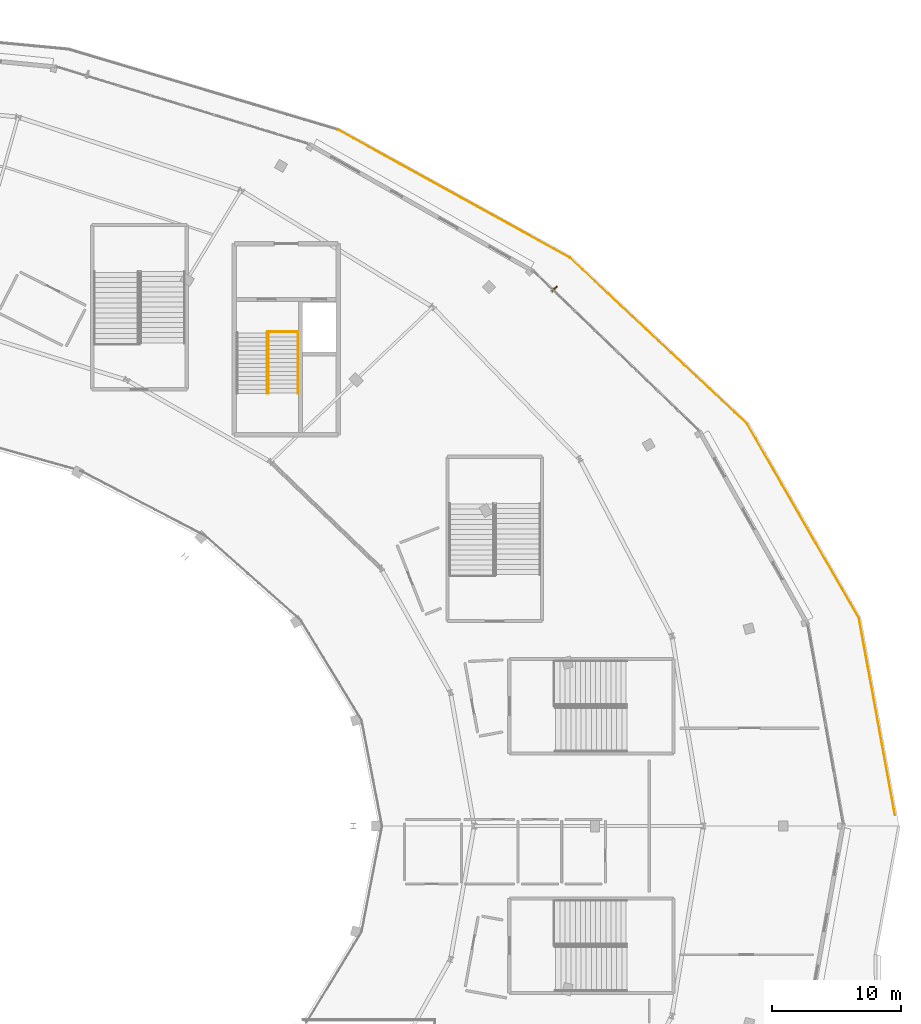
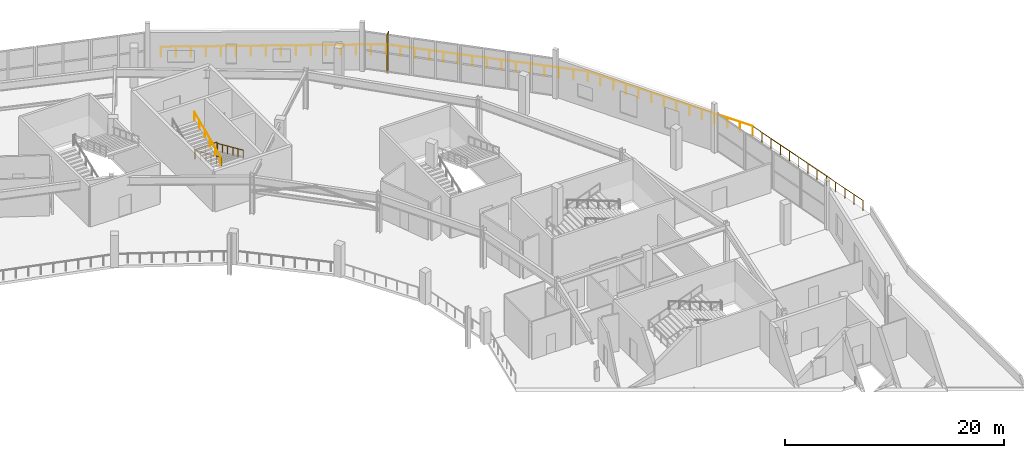
# One storey, part 123 of 123: 8 railings, 1 shading device.
"""IFC4 building model written with IfcOpenShell, lengths in metres."""

from ifc_helpers import new_model, si_unit, direction, frame, origin, origin_2d, place, context, subcontext, project, spatial, rectangle, circle, extrude, material, layer, layer_set, type_object, element, save


model = new_model("IFC4")

# Units and contexts
model_context = context("Model", 3, precision=1e-05, world=origin(), true_north=direction((0.0, 1.0)))
body_context = subcontext(model_context, "Body", "Model", "MODEL_VIEW")
ifc_project = project(units=[si_unit("LENGTHUNIT", "METRE"), si_unit("AREAUNIT", "SQUARE_METRE"), si_unit("VOLUMEUNIT", "CUBIC_METRE"), si_unit("PLANEANGLEUNIT", "RADIAN"), si_unit("MASSUNIT", "GRAM", prefix="KILO")], contexts=[model_context])

# Site, building, storey
site_placement = place(None, origin())
site = spatial("IfcSite", under=ifc_project, at=site_placement, CompositionType="ELEMENT")
building_placement = place(site_placement, origin())
building = spatial("IfcBuilding", under=site, at=building_placement, Name="Kalgoora Escarpment Arena", CompositionType="ELEMENT")
storey_placement = place(building_placement, frame((0.0, 0.0, 9.89990234375)))
storey = spatial("IfcBuildingStorey", under=building, at=storey_placement, Name="L02", CompositionType="ELEMENT", Elevation=9.89990234375)

# Railings
ifc_material_1 = material(Name="Galvanised & powdercoated tubular steel", Category="steel")
railing_type_1 = type_object("IfcRailingType", Name="RAL-GUARD-1120", PredefinedType="GUARDRAIL", material=ifc_material_1)
railing_1_placement = place(storey_placement, frame((132.68994140625, 102.389892578125, 0.0)))
element("IfcRailing", 1, at=railing_1_placement, inside=storey, type_object=railing_type_1, Name="ST04 L02 floor landing well guard", PredefinedType="GUARDRAIL", context=body_context, shape_type="SweptSolid", body=[
    extrude(circle(Radius=0.02392578125, at=origin_2d()), frame((0.0, 0.0, 1.09619140625), z_axis=(-1.0, 0.0, 0.0), x_axis=(0.0, -1.0, 0.0)), (0.0, 0.0, 1.0), 2.33984375),
    extrude(circle(Radius=0.02099609375, at=origin_2d()), origin(), (0.0, 0.0, 1.0), 1.072021484375),
    extrude(circle(Radius=0.02099609375, at=origin_2d()), frame((-1.169921875, 0.0, 0.0)), (0.0, 0.0, 1.0), 1.072021484375),
    extrude(circle(Radius=0.02099609375, at=origin_2d()), frame((-2.33984375, 0.0, 0.0)), (0.0, 0.0, 1.0), 1.072021484375),
])
ifc_material_2 = material(Name="Brushed stainless steel 316 handrail", Category="steel")
railing_type_2 = type_object("IfcRailingType", Name="RAL-HAND-920", PredefinedType="HANDRAIL", material=ifc_material_2)
for number, where, name in (
    (2, (132.699951171875, 102.31005859375, 0.110107421875), "ST04 L02 pitched stair handrail F1L"),
    (3, (130.405029296875, 102.31005859375, 0.110107421875), "ST04 L02 pitched stair handrail F1R"),
):
    element("IfcRailing", number, at=place(storey_placement, frame(where)), inside=storey, type_object=railing_type_2, Name=name, PredefinedType="HANDRAIL", context=body_context, shape_type="SweptSolid", body=[
        extrude(circle(Radius=0.02392578125, at=origin_2d()), frame((0.0, 0.0, 0.89599609375), z_axis=(0.0, -0.913643874524, 0.406515523129), x_axis=(1.0, 0.0, 0.0)), (0.0, 0.0, 1.0), 5.166015625),
        extrude(circle(Radius=0.02099609375, at=origin_2d()), origin(), (0.0, 0.0, 1.0), 0.871826171875),
        extrude(circle(Radius=0.02099609375, at=origin_2d()), frame((0.0, -0.944091796875, 0.419921875)), (0.0, 0.0, 1.0), 0.871826171875),
        extrude(circle(Radius=0.02099609375, at=origin_2d()), frame((0.0, -1.887939453125, 0.840087890625)), (0.0, 0.0, 1.0), 0.871826171875),
        extrude(circle(Radius=0.02099609375, at=origin_2d()), frame((0.0, -2.83203125, 1.260009765625)), (0.0, 0.0, 1.0), 0.871826171875),
        extrude(circle(Radius=0.02099609375, at=origin_2d()), frame((0.0, -3.77587890625, 1.68017578125)), (0.0, 0.0, 1.0), 0.871826171875),
        extrude(circle(Radius=0.02099609375, at=origin_2d()), frame((0.0, -4.719970703125, 2.10009765625)), (0.0, 0.0, 1.0), 0.871826171875),
    ])
railing_2_placement = place(storey_placement, frame((130.294921875, 97.590087890625, 2.360107421875)))
element("IfcRailing", 4, at=railing_2_placement, inside=storey, type_object=railing_type_2, Name="ST04 L02 pitched stair handrail F2L", PredefinedType="HANDRAIL", context=body_context, shape_type="SweptSolid", body=[
    extrude(circle(Radius=0.02392578125, at=origin_2d()), frame((0.0, 0.0, 0.89599609375), z_axis=(0.0, 0.913643874524, 0.406515523129), x_axis=(-1.0, 0.0, 0.0)), (0.0, 0.0, 1.0), 5.166015625),
    extrude(circle(Radius=0.02099609375, at=origin_2d()), origin(), (0.0, 0.0, 1.0), 0.871826171875),
    extrude(circle(Radius=0.02099609375, at=origin_2d()), frame((0.0, 0.944091796875, 0.419921875)), (0.0, 0.0, 1.0), 0.871826171875),
    extrude(circle(Radius=0.02099609375, at=origin_2d()), frame((0.0, 1.887939453125, 0.840087890625)), (0.0, 0.0, 1.0), 0.871826171875),
    extrude(circle(Radius=0.02099609375, at=origin_2d()), frame((0.0, 2.83203125, 1.260009765625)), (0.0, 0.0, 1.0), 0.871826171875),
    extrude(circle(Radius=0.02099609375, at=origin_2d()), frame((0.0, 3.77587890625, 1.68017578125)), (0.0, 0.0, 1.0), 0.871826171875),
    extrude(circle(Radius=0.02099609375, at=origin_2d()), frame((0.0, 4.719970703125, 2.10009765625)), (0.0, 0.0, 1.0), 0.871826171875),
])
ifc_material_3 = material(Name="Champagne anodised aluminium & laminated glass", Category="aluminium")
railing_type_3 = type_object("IfcRailingType", Name="RAL-TERR-1100", PredefinedType="GUARDRAIL", material=ifc_material_3)
railing_3_placement = place(storey_placement, frame((135.837890625, 118.064697265625, 0.0)))
element("IfcRailing", 5, at=railing_3_placement, inside=storey, type_object=railing_type_3, Name="Middle Planted Elliptical Garden Promenade perimeter guardrail 016", PredefinedType="GUARDRAIL", context=body_context, shape_type="SweptSolid", body=[
    extrude(circle(Radius=0.02392578125, at=origin_2d()), frame((0.0, 0.0, 1.09619140625), z_axis=(0.875431707903, -0.483341830176, 0.0), x_axis=(0.483341830176, 0.875431707903, 0.0)), (0.0, 0.0, 1.0), 20.544921875),
    extrude(circle(Radius=0.02099609375, at=origin_2d()), origin(), (0.0, 0.0, 1.0), 1.072021484375),
    extrude(circle(Radius=0.02099609375, at=origin_2d()), frame((1.198974609375, -0.662109375, 0.0)), (0.0, 0.0, 1.0), 1.072021484375),
    extrude(circle(Radius=0.02099609375, at=origin_2d()), frame((2.398193359375, -1.323974609375, 0.0)), (0.0, 0.0, 1.0), 1.072021484375),
    extrude(circle(Radius=0.02099609375, at=origin_2d()), frame((3.59716796875, -1.986083984375, 0.0)), (0.0, 0.0, 1.0), 1.072021484375),
    extrude(circle(Radius=0.02099609375, at=origin_2d()), frame((4.796142578125, -2.64794921875, 0.0)), (0.0, 0.0, 1.0), 1.072021484375),
    extrude(circle(Radius=0.02099609375, at=origin_2d()), frame((5.9951171875, -3.31005859375, 0.0)), (0.0, 0.0, 1.0), 1.072021484375),
    extrude(circle(Radius=0.02099609375, at=origin_2d()), frame((7.1943359375, -3.97216796875, 0.0)), (0.0, 0.0, 1.0), 1.072021484375),
    extrude(circle(Radius=0.02099609375, at=origin_2d()), frame((8.393310546875, -4.634033203125, 0.0)), (0.0, 0.0, 1.0), 1.072021484375),
    extrude(circle(Radius=0.02099609375, at=origin_2d()), frame((9.59228515625, -5.296142578125, 0.0)), (0.0, 0.0, 1.0), 1.072021484375),
    extrude(circle(Radius=0.02099609375, at=origin_2d()), frame((10.791259765625, -5.9580078125, 0.0)), (0.0, 0.0, 1.0), 1.072021484375),
    extrude(circle(Radius=0.02099609375, at=origin_2d()), frame((11.990478515625, -6.6201171875, 0.0)), (0.0, 0.0, 1.0), 1.072021484375),
    extrude(circle(Radius=0.02099609375, at=origin_2d()), frame((13.189453125, -7.2822265625, 0.0)), (0.0, 0.0, 1.0), 1.072021484375),
    extrude(circle(Radius=0.02099609375, at=origin_2d()), frame((14.388427734375, -7.944091796875, 0.0)), (0.0, 0.0, 1.0), 1.072021484375),
    extrude(circle(Radius=0.02099609375, at=origin_2d()), frame((15.58740234375, -8.606201171875, 0.0)), (0.0, 0.0, 1.0), 1.072021484375),
    extrude(circle(Radius=0.02099609375, at=origin_2d()), frame((16.78662109375, -9.26806640625, 0.0)), (0.0, 0.0, 1.0), 1.072021484375),
    extrude(circle(Radius=0.02099609375, at=origin_2d()), frame((17.985595703125, -9.93017578125, 0.0)), (0.0, 0.0, 1.0), 1.072021484375),
])
railing_4_placement = place(storey_placement, frame((153.823486328125, 108.134521484375, 0.0)))
element("IfcRailing", 6, at=railing_4_placement, inside=storey, type_object=railing_type_3, Name="Middle Planted Elliptical Garden Promenade perimeter guardrail 017", PredefinedType="GUARDRAIL", context=body_context, shape_type="SweptSolid", body=[
    extrude(circle(Radius=0.02392578125, at=origin_2d()), frame((0.0, 0.0, 1.09619140625), z_axis=(0.729458285246, -0.684025299303, 0.0), x_axis=(0.684025299303, 0.729458285246, 0.0)), (0.0, 0.0, 1.0), 18.909912109375),
    extrude(circle(Radius=0.02099609375, at=origin_2d()), origin(), (0.0, 0.0, 1.0), 1.072021484375),
    extrude(circle(Radius=0.02099609375, at=origin_2d()), frame((0.9853515625, -0.923828125, 0.0)), (0.0, 0.0, 1.0), 1.072021484375),
    extrude(circle(Radius=0.02099609375, at=origin_2d()), frame((1.970458984375, -1.847900390625, 0.0)), (0.0, 0.0, 1.0), 1.072021484375),
    extrude(circle(Radius=0.02099609375, at=origin_2d()), frame((2.955810546875, -2.771728515625, 0.0)), (0.0, 0.0, 1.0), 1.072021484375),
    extrude(circle(Radius=0.02099609375, at=origin_2d()), frame((3.941162109375, -3.695556640625, 0.0)), (0.0, 0.0, 1.0), 1.072021484375),
    extrude(circle(Radius=0.02099609375, at=origin_2d()), frame((4.926513671875, -4.61962890625, 0.0)), (0.0, 0.0, 1.0), 1.072021484375),
    extrude(circle(Radius=0.02099609375, at=origin_2d()), frame((5.91162109375, -5.54345703125, 0.0)), (0.0, 0.0, 1.0), 1.072021484375),
    extrude(circle(Radius=0.02099609375, at=origin_2d()), frame((6.89697265625, -6.46728515625, 0.0)), (0.0, 0.0, 1.0), 1.072021484375),
    extrude(circle(Radius=0.02099609375, at=origin_2d()), frame((7.88232421875, -7.391357421875, 0.0)), (0.0, 0.0, 1.0), 1.072021484375),
    extrude(circle(Radius=0.02099609375, at=origin_2d()), frame((8.867431640625, -8.315185546875, 0.0)), (0.0, 0.0, 1.0), 1.072021484375),
    extrude(circle(Radius=0.02099609375, at=origin_2d()), frame((9.852783203125, -9.2392578125, 0.0)), (0.0, 0.0, 1.0), 1.072021484375),
    extrude(circle(Radius=0.02099609375, at=origin_2d()), frame((10.838134765625, -10.1630859375, 0.0)), (0.0, 0.0, 1.0), 1.072021484375),
    extrude(circle(Radius=0.02099609375, at=origin_2d()), frame((11.823486328125, -11.0869140625, 0.0)), (0.0, 0.0, 1.0), 1.072021484375),
    extrude(circle(Radius=0.02099609375, at=origin_2d()), frame((12.80859375, -12.010986328125, 0.0)), (0.0, 0.0, 1.0), 1.072021484375),
    extrude(circle(Radius=0.02099609375, at=origin_2d()), frame((13.7939453125, -12.934814453125, 0.0)), (0.0, 0.0, 1.0), 1.072021484375),
])
railing_5_placement = place(storey_placement, frame((167.617431640625, 95.19970703125, 0.0)))
element("IfcRailing", 7, at=railing_5_placement, inside=storey, type_object=railing_type_3, Name="Middle Planted Elliptical Garden Promenade perimeter guardrail 018", PredefinedType="GUARDRAIL", context=body_context, shape_type="SweptSolid", body=[
    extrude(circle(Radius=0.02392578125, at=origin_2d()), frame((0.0, 0.0, 1.09619140625), z_axis=(0.498904944712, -0.866656711819, 0.0), x_axis=(0.866656711819, 0.498904944712, 0.0)), (0.0, 0.0, 1.0), 17.36962890625),
    extrude(circle(Radius=0.02099609375, at=origin_2d()), origin(), (0.0, 0.0, 1.0), 1.072021484375),
    extrude(circle(Radius=0.02099609375, at=origin_2d()), frame((0.66650390625, -1.157958984375, 0.0)), (0.0, 0.0, 1.0), 1.072021484375),
    extrude(circle(Radius=0.02099609375, at=origin_2d()), frame((1.333251953125, -2.31591796875, 0.0)), (0.0, 0.0, 1.0), 1.072021484375),
    extrude(circle(Radius=0.02099609375, at=origin_2d()), frame((1.999755859375, -3.473876953125, 0.0)), (0.0, 0.0, 1.0), 1.072021484375),
    extrude(circle(Radius=0.02099609375, at=origin_2d()), frame((2.66650390625, -4.6318359375, 0.0)), (0.0, 0.0, 1.0), 1.072021484375),
    extrude(circle(Radius=0.02099609375, at=origin_2d()), frame((3.3330078125, -5.789794921875, 0.0)), (0.0, 0.0, 1.0), 1.072021484375),
    extrude(circle(Radius=0.02099609375, at=origin_2d()), frame((3.99951171875, -6.94775390625, 0.0)), (0.0, 0.0, 1.0), 1.072021484375),
    extrude(circle(Radius=0.02099609375, at=origin_2d()), frame((4.666259765625, -8.105712890625, 0.0)), (0.0, 0.0, 1.0), 1.072021484375),
    extrude(circle(Radius=0.02099609375, at=origin_2d()), frame((5.332763671875, -9.263671875, 0.0)), (0.0, 0.0, 1.0), 1.072021484375),
    extrude(circle(Radius=0.02099609375, at=origin_2d()), frame((5.999267578125, -10.421630859375, 0.0)), (0.0, 0.0, 1.0), 1.072021484375),
    extrude(circle(Radius=0.02099609375, at=origin_2d()), frame((6.666015625, -11.57958984375, 0.0)), (0.0, 0.0, 1.0), 1.072021484375),
    extrude(circle(Radius=0.02099609375, at=origin_2d()), frame((7.33251953125, -12.737548828125, 0.0)), (0.0, 0.0, 1.0), 1.072021484375),
    extrude(circle(Radius=0.02099609375, at=origin_2d()), frame((7.999267578125, -13.8955078125, 0.0)), (0.0, 0.0, 1.0), 1.072021484375),
    extrude(circle(Radius=0.02099609375, at=origin_2d()), frame((8.665771484375, -15.053466796875, 0.0)), (0.0, 0.0, 1.0), 1.072021484375),
])
railing_6_placement = place(storey_placement, frame((176.283203125, 80.146240234375, 0.0)))
element("IfcRailing", 8, at=railing_6_placement, inside=storey, type_object=railing_type_3, Name="Middle Planted Elliptical Garden Promenade perimeter guardrail 019", PredefinedType="GUARDRAIL", context=body_context, shape_type="SweptSolid", body=[
    extrude(circle(Radius=0.02392578125, at=origin_2d()), frame((0.0, 0.0, 1.09619140625), z_axis=(0.179976551781, -0.983670900662, 0.0), x_axis=(0.983670900662, 0.179976551781, 0.0)), (0.0, 0.0, 1.0), 15.5537109375),
    extrude(circle(Radius=0.02099609375, at=origin_2d()), origin(), (0.0, 0.0, 1.0), 1.072021484375),
    extrude(circle(Radius=0.02099609375, at=origin_2d()), frame((0.2333984375, -1.27490234375, 0.0)), (0.0, 0.0, 1.0), 1.072021484375),
    extrude(circle(Radius=0.02099609375, at=origin_2d()), frame((0.466552734375, -2.550048828125, 0.0)), (0.0, 0.0, 1.0), 1.072021484375),
    extrude(circle(Radius=0.02099609375, at=origin_2d()), frame((0.69970703125, -3.824951171875, 0.0)), (0.0, 0.0, 1.0), 1.072021484375),
    extrude(circle(Radius=0.02099609375, at=origin_2d()), frame((0.93310546875, -5.099853515625, 0.0)), (0.0, 0.0, 1.0), 1.072021484375),
    extrude(circle(Radius=0.02099609375, at=origin_2d()), frame((1.16650390625, -6.375, 0.0)), (0.0, 0.0, 1.0), 1.072021484375),
    extrude(circle(Radius=0.02099609375, at=origin_2d()), frame((1.399658203125, -7.64990234375, 0.0)), (0.0, 0.0, 1.0), 1.072021484375),
    extrude(circle(Radius=0.02099609375, at=origin_2d()), frame((1.6328125, -8.9248046875, 0.0)), (0.0, 0.0, 1.0), 1.072021484375),
    extrude(circle(Radius=0.02099609375, at=origin_2d()), frame((1.8662109375, -10.199951171875, 0.0)), (0.0, 0.0, 1.0), 1.072021484375),
    extrude(circle(Radius=0.02099609375, at=origin_2d()), frame((2.099609375, -11.474853515625, 0.0)), (0.0, 0.0, 1.0), 1.072021484375),
    extrude(circle(Radius=0.02099609375, at=origin_2d()), frame((2.332763671875, -12.749755859375, 0.0)), (0.0, 0.0, 1.0), 1.072021484375),
    extrude(circle(Radius=0.02099609375, at=origin_2d()), frame((2.56591796875, -14.02490234375, 0.0)), (0.0, 0.0, 1.0), 1.072021484375),
    extrude(circle(Radius=0.02099609375, at=origin_2d()), frame((2.79931640625, -15.2998046875, 0.0)), (0.0, 0.0, 1.0), 1.072021484375),
])

# Shading device
ifc_material_4 = material(Name="Champagne anodised extruded aluminium", Category="aluminium")
ifc_layer = layer(ifc_material_4, 0.080078125)
ifc_layer_set = layer_set([ifc_layer], Name="SHD-FIN-CHAMP")
shading_device_type = type_object("IfcShadingDeviceType", Name="SHD-FIN-CHAMP", PredefinedType="USERDEFINED", material=ifc_layer_set)
shading_device_placement = place(storey_placement, frame((152.63916015625, 105.7294921875, 0.0), z_axis=(0.0, 0.0, 1.0), x_axis=(0.693779012888, 0.720187948577, 0.0)))
element("IfcShadingDevice", 9, at=shading_device_placement, inside=storey, type_object=shading_device_type, Name="L02 champagne anodised solar fin 20", ObjectType="FIN", PredefinedType="USERDEFINED", context=body_context, shape_type="SweptSolid", body=[
    extrude(rectangle(XDim=0.56005859375, YDim=0.10009765625, at=origin_2d()), origin(), (0.0, 0.0, 1.0), 4.264892578125),
])

save(model, "model.ifc")
